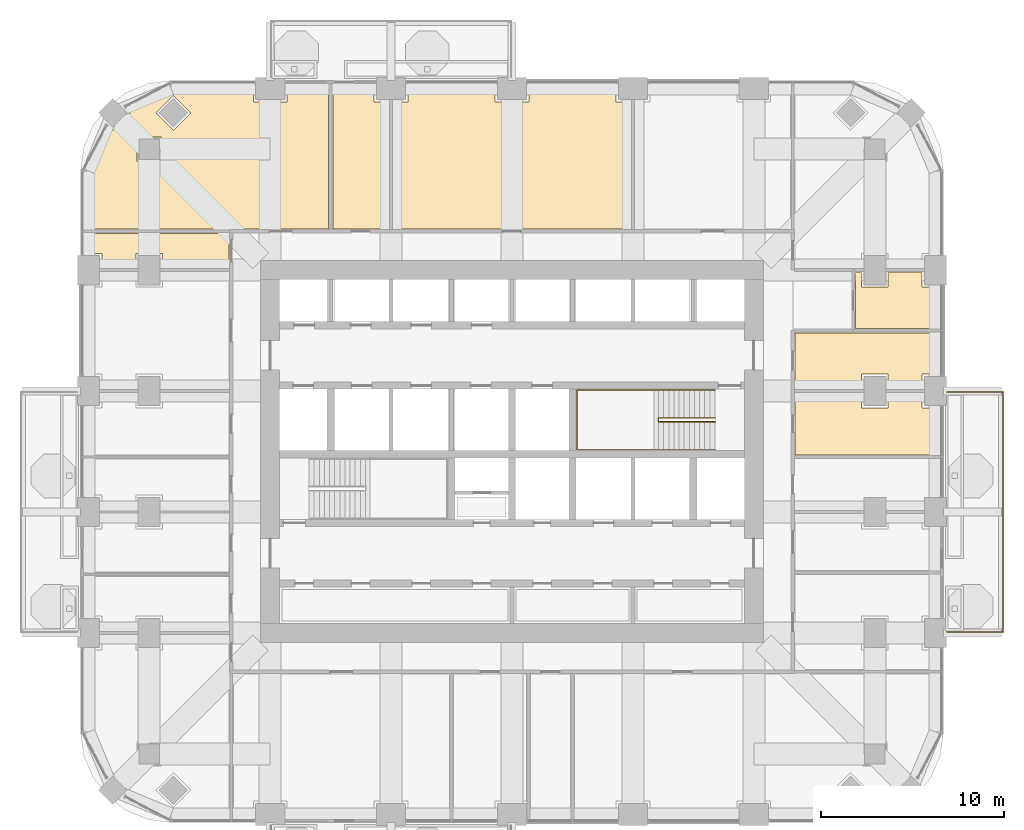
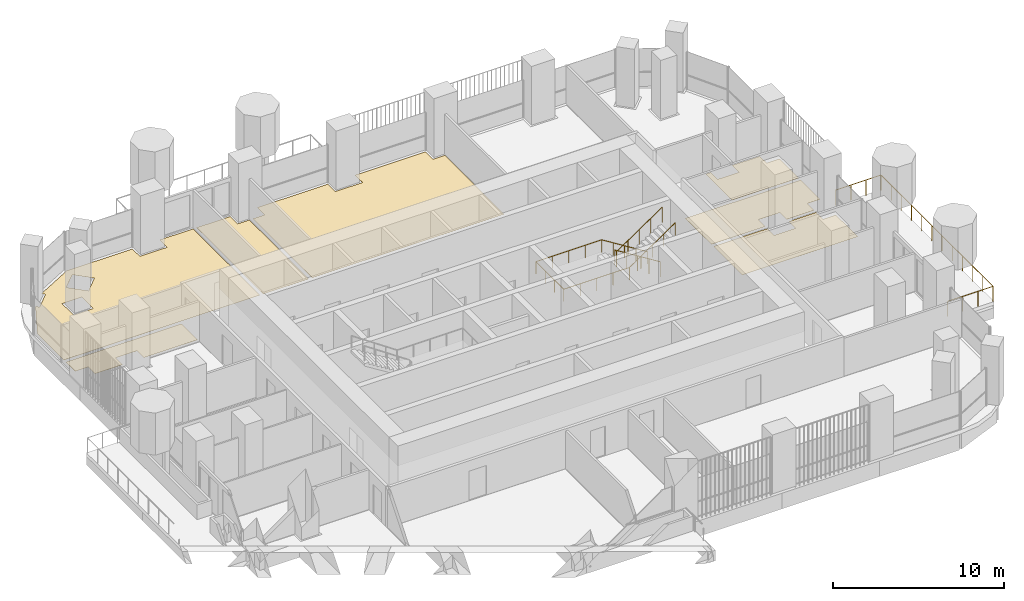
# One storey, part 18 of 20: 7 coverings, 3 railings.
"""IFC4 building model written with IfcOpenShell, lengths in metres."""

from ifc_helpers import new_model, si_unit, direction, frame, origin, place, context, subcontext, project, spatial, polyline, outline, extrude, material, layer, layer_set, type_object, element, save


model = new_model("IFC4")

# Units and contexts
model_context = context("Model", 3, precision=1e-05, world=origin(), true_north=direction((0.0, 1.0)))
body_context = subcontext(model_context, "Body", "Model", "MODEL_VIEW")
ifc_project = project(units=[si_unit("LENGTHUNIT", "METRE"), si_unit("AREAUNIT", "SQUARE_METRE"), si_unit("VOLUMEUNIT", "CUBIC_METRE"), si_unit("PLANEANGLEUNIT", "RADIAN"), si_unit("MASSUNIT", "GRAM", prefix="KILO")], contexts=[model_context])

# Site, building, storey
site_placement = place(None, origin())
site = spatial("IfcSite", under=ifc_project, at=site_placement, CompositionType="ELEMENT")
building_placement = place(site_placement, origin())
building = spatial("IfcBuilding", under=site, at=building_placement, Name="Cobogo Forest Laboratory Tower", CompositionType="ELEMENT")
storey_placement = place(building_placement, frame((0.0, 0.0, 193.5)))
storey = spatial("IfcBuildingStorey", under=building, at=storey_placement, Name="L44", CompositionType="ELEMENT", Elevation=193.5)

# Railing
ifc_material_1 = material(Name="Laminated glass balustrade", Category="glass")
railing_type_1 = type_object("IfcRailingType", Name="BG1 glass balustrade 1100", PredefinedType="GUARDRAIL", material=ifc_material_1)
railing_1_placement = place(storey_placement, frame((50.14990234375, 13.25, 0.0)))
element("IfcRailing", 1, at=railing_1_placement, inside=storey, type_object=railing_type_1, Name="Balcony balustrade BAL-E1 L44", PredefinedType="GUARDRAIL", context=body_context, shape_type="SweptSolid", body=[
    extrude(outline(polyline([(0.022216796875, 0.00927734375), (0.00927734375, 0.022216796875), (-0.00927734375, 0.022216796875), (-0.022216796875, 0.00927734375), (-0.022216796875, -0.00927734375), (-0.00927734375, -0.022216796875), (0.00927734375, -0.022216796875), (0.022216796875, -0.00927734375), (0.022216796875, 0.00927734375)])), frame((0.0, 0.0, 1.077880859375), z_axis=(1.0, 0.0, 0.0), x_axis=(0.0, 1.0, 0.0)), (0.0, 0.0, 1.0), 3.050048828125),
    extrude(outline(polyline([(0.022216796875, 0.00927734375), (0.00927734375, 0.022216796875), (-0.00927734375, 0.022216796875), (-0.022216796875, 0.00927734375), (-0.022216796875, -0.00927734375), (-0.00927734375, -0.022216796875), (0.00927734375, -0.022216796875), (0.022216796875, -0.00927734375), (0.022216796875, 0.00927734375)])), frame((3.050048828125, 0.0, 1.077880859375), z_axis=(0.0, 1.0, 0.0), x_axis=(-1.0, 0.0, 0.0)), (0.0, 0.0, 1.0), 13.10009765625),
    extrude(outline(polyline([(0.022216796875, 0.00927734375), (0.00927734375, 0.022216796875), (-0.00927734375, 0.022216796875), (-0.022216796875, 0.00927734375), (-0.022216796875, -0.00927734375), (-0.00927734375, -0.022216796875), (0.00927734375, -0.022216796875), (0.022216796875, -0.00927734375), (0.022216796875, 0.00927734375)])), frame((3.050048828125, 13.10009765625, 1.077880859375), z_axis=(-1.0, 0.0, 0.0), x_axis=(0.0, -1.0, 0.0)), (0.0, 0.0, 1.0), 3.050048828125),
    extrude(outline(polyline([(0.019287109375, 0.008056640625), (0.008056640625, 0.019287109375), (-0.008056640625, 0.019287109375), (-0.019287109375, 0.008056640625), (-0.019287109375, -0.008056640625), (-0.008056640625, -0.019287109375), (0.008056640625, -0.019287109375), (0.019287109375, -0.008056640625), (0.019287109375, 0.008056640625)])), origin(), (0.0, 0.0, 1.0), 1.077880859375),
    extrude(outline(polyline([(0.019287109375, 0.008056640625), (0.008056640625, 0.019287109375), (-0.008056640625, 0.019287109375), (-0.019287109375, 0.008056640625), (-0.019287109375, -0.008056640625), (-0.008056640625, -0.019287109375), (0.008056640625, -0.019287109375), (0.019287109375, -0.008056640625), (0.019287109375, 0.008056640625)])), frame((1.0166015625, 0.0, 0.0)), (0.0, 0.0, 1.0), 1.077880859375),
    extrude(outline(polyline([(0.019287109375, 0.008056640625), (0.008056640625, 0.019287109375), (-0.008056640625, 0.019287109375), (-0.019287109375, 0.008056640625), (-0.019287109375, -0.008056640625), (-0.008056640625, -0.019287109375), (0.008056640625, -0.019287109375), (0.019287109375, -0.008056640625), (0.019287109375, 0.008056640625)])), frame((2.033447265625, 0.0, 0.0)), (0.0, 0.0, 1.0), 1.077880859375),
    extrude(outline(polyline([(0.019287109375, 0.008056640625), (0.008056640625, 0.019287109375), (-0.008056640625, 0.019287109375), (-0.019287109375, 0.008056640625), (-0.019287109375, -0.008056640625), (-0.008056640625, -0.019287109375), (0.008056640625, -0.019287109375), (0.019287109375, -0.008056640625), (0.019287109375, 0.008056640625)])), frame((3.050048828125, 0.0, 0.0)), (0.0, 0.0, 1.0), 1.077880859375),
    extrude(outline(polyline([(0.019287109375, 0.008056640625), (0.008056640625, 0.019287109375), (-0.008056640625, 0.019287109375), (-0.019287109375, 0.008056640625), (-0.019287109375, -0.008056640625), (-0.008056640625, -0.019287109375), (0.008056640625, -0.019287109375), (0.019287109375, -0.008056640625), (0.019287109375, 0.008056640625)])), frame((3.050048828125, 1.19091796875, 0.0)), (0.0, 0.0, 1.0), 1.077880859375),
    extrude(outline(polyline([(0.019287109375, 0.008056640625), (0.008056640625, 0.019287109375), (-0.008056640625, 0.019287109375), (-0.019287109375, 0.008056640625), (-0.019287109375, -0.008056640625), (-0.008056640625, -0.019287109375), (0.008056640625, -0.019287109375), (0.019287109375, -0.008056640625), (0.019287109375, 0.008056640625)])), frame((3.050048828125, 2.3818359375, 0.0)), (0.0, 0.0, 1.0), 1.077880859375),
    extrude(outline(polyline([(0.019287109375, 0.008056640625), (0.008056640625, 0.019287109375), (-0.008056640625, 0.019287109375), (-0.019287109375, 0.008056640625), (-0.019287109375, -0.008056640625), (-0.008056640625, -0.019287109375), (0.008056640625, -0.019287109375), (0.019287109375, -0.008056640625), (0.019287109375, 0.008056640625)])), frame((3.050048828125, 3.57275390625, 0.0)), (0.0, 0.0, 1.0), 1.077880859375),
    extrude(outline(polyline([(0.019287109375, 0.008056640625), (0.008056640625, 0.019287109375), (-0.008056640625, 0.019287109375), (-0.019287109375, 0.008056640625), (-0.019287109375, -0.008056640625), (-0.008056640625, -0.019287109375), (0.008056640625, -0.019287109375), (0.019287109375, -0.008056640625), (0.019287109375, 0.008056640625)])), frame((3.050048828125, 4.763671875, 0.0)), (0.0, 0.0, 1.0), 1.077880859375),
    extrude(outline(polyline([(0.019287109375, 0.008056640625), (0.008056640625, 0.019287109375), (-0.008056640625, 0.019287109375), (-0.019287109375, 0.008056640625), (-0.019287109375, -0.008056640625), (-0.008056640625, -0.019287109375), (0.008056640625, -0.019287109375), (0.019287109375, -0.008056640625), (0.019287109375, 0.008056640625)])), frame((3.050048828125, 5.95458984375, 0.0)), (0.0, 0.0, 1.0), 1.077880859375),
    extrude(outline(polyline([(0.019287109375, 0.008056640625), (0.008056640625, 0.019287109375), (-0.008056640625, 0.019287109375), (-0.019287109375, 0.008056640625), (-0.019287109375, -0.008056640625), (-0.008056640625, -0.019287109375), (0.008056640625, -0.019287109375), (0.019287109375, -0.008056640625), (0.019287109375, 0.008056640625)])), frame((3.050048828125, 7.1455078125, 0.0)), (0.0, 0.0, 1.0), 1.077880859375),
    extrude(outline(polyline([(0.019287109375, 0.008056640625), (0.008056640625, 0.019287109375), (-0.008056640625, 0.019287109375), (-0.019287109375, 0.008056640625), (-0.019287109375, -0.008056640625), (-0.008056640625, -0.019287109375), (0.008056640625, -0.019287109375), (0.019287109375, -0.008056640625), (0.019287109375, 0.008056640625)])), frame((3.050048828125, 8.33642578125, 0.0)), (0.0, 0.0, 1.0), 1.077880859375),
    extrude(outline(polyline([(0.019287109375, 0.008056640625), (0.008056640625, 0.019287109375), (-0.008056640625, 0.019287109375), (-0.019287109375, 0.008056640625), (-0.019287109375, -0.008056640625), (-0.008056640625, -0.019287109375), (0.008056640625, -0.019287109375), (0.019287109375, -0.008056640625), (0.019287109375, 0.008056640625)])), frame((3.050048828125, 9.52734375, 0.0)), (0.0, 0.0, 1.0), 1.077880859375),
    extrude(outline(polyline([(0.019287109375, 0.008056640625), (0.008056640625, 0.019287109375), (-0.008056640625, 0.019287109375), (-0.019287109375, 0.008056640625), (-0.019287109375, -0.008056640625), (-0.008056640625, -0.019287109375), (0.008056640625, -0.019287109375), (0.019287109375, -0.008056640625), (0.019287109375, 0.008056640625)])), frame((3.050048828125, 10.71826171875, 0.0)), (0.0, 0.0, 1.0), 1.077880859375),
    extrude(outline(polyline([(0.019287109375, 0.008056640625), (0.008056640625, 0.019287109375), (-0.008056640625, 0.019287109375), (-0.019287109375, 0.008056640625), (-0.019287109375, -0.008056640625), (-0.008056640625, -0.019287109375), (0.008056640625, -0.019287109375), (0.019287109375, -0.008056640625), (0.019287109375, 0.008056640625)])), frame((3.050048828125, 11.9091796875, 0.0)), (0.0, 0.0, 1.0), 1.077880859375),
    extrude(outline(polyline([(0.019287109375, 0.008056640625), (0.008056640625, 0.019287109375), (-0.008056640625, 0.019287109375), (-0.019287109375, 0.008056640625), (-0.019287109375, -0.008056640625), (-0.008056640625, -0.019287109375), (0.008056640625, -0.019287109375), (0.019287109375, -0.008056640625), (0.019287109375, 0.008056640625)])), frame((3.050048828125, 13.10009765625, 0.0)), (0.0, 0.0, 1.0), 1.077880859375),
    extrude(outline(polyline([(0.019287109375, 0.008056640625), (0.008056640625, 0.019287109375), (-0.008056640625, 0.019287109375), (-0.019287109375, 0.008056640625), (-0.019287109375, -0.008056640625), (-0.008056640625, -0.019287109375), (0.008056640625, -0.019287109375), (0.019287109375, -0.008056640625), (0.019287109375, 0.008056640625)])), frame((2.033447265625, 13.10009765625, 0.0)), (0.0, 0.0, 1.0), 1.077880859375),
    extrude(outline(polyline([(0.019287109375, 0.008056640625), (0.008056640625, 0.019287109375), (-0.008056640625, 0.019287109375), (-0.019287109375, 0.008056640625), (-0.019287109375, -0.008056640625), (-0.008056640625, -0.019287109375), (0.008056640625, -0.019287109375), (0.019287109375, -0.008056640625), (0.019287109375, 0.008056640625)])), frame((1.0166015625, 13.10009765625, 0.0)), (0.0, 0.0, 1.0), 1.077880859375),
    extrude(outline(polyline([(0.019287109375, 0.008056640625), (0.008056640625, 0.019287109375), (-0.008056640625, 0.019287109375), (-0.019287109375, 0.008056640625), (-0.019287109375, -0.008056640625), (-0.008056640625, -0.019287109375), (0.008056640625, -0.019287109375), (0.019287109375, -0.008056640625), (0.019287109375, 0.008056640625)])), frame((0.0, 13.10009765625, 0.0)), (0.0, 0.0, 1.0), 1.077880859375),
])

# Coverings
ifc_material_2 = material(Name="Carpet tile on raised access floor", Category="flooring")
ifc_layer_1 = layer(ifc_material_2, 0.008056640625)
ifc_layer_set_1 = layer_set([ifc_layer_1], Name="CT1 carpet tile floor 8")
covering_type_1 = type_object("IfcCoveringType", Name="CT1 carpet tile floor 8", PredefinedType="FLOORING", material=ifc_layer_set_1)
covering_1_placement = place(storey_placement, origin())
element("IfcCovering", 2, at=covering_1_placement, inside=storey, type_object=covering_type_1, Name="Carpet floor L44-09", PredefinedType="FLOORING", context=body_context, shape_type="SweptSolid", body=[
    extrude(outline(polyline([(41.844970703125, 29.580078125), (49.64990234375, 29.580078125), (49.64990234375, 27.320068359375), (48.780029296875, 27.320068359375), (48.780029296875, 26.52001953125), (46.919921875, 26.52001953125), (46.919921875, 27.320068359375), (45.47998046875, 27.320068359375), (45.47998046875, 26.52001953125), (41.844970703125, 26.52001953125), (41.844970703125, 29.580078125)])), origin(), (0.0, 0.0, 1.0), 0.008056640625),
])
covering_2_placement = place(storey_placement, origin())
element("IfcCovering", 3, at=covering_2_placement, inside=storey, type_object=covering_type_1, Name="Carpet floor L44-10", PredefinedType="FLOORING", context=body_context, shape_type="SweptSolid", body=[
    extrude(outline(polyline([(45.14501953125, 32.8798828125), (45.47998046875, 32.8798828125), (45.47998046875, 32.080078125), (46.919921875, 32.080078125), (46.919921875, 32.8798828125), (48.780029296875, 32.8798828125), (48.780029296875, 32.080078125), (49.64990234375, 32.080078125), (49.64990234375, 29.820068359375), (45.14501953125, 29.820068359375), (45.14501953125, 32.8798828125)])), origin(), (0.0, 0.0, 1.0), 0.008056640625),
])
covering_3_placement = place(storey_placement, origin())
element("IfcCovering", 4, at=covering_3_placement, inside=storey, type_object=covering_type_1, Name="Carpet floor L44-13", PredefinedType="FLOORING", context=body_context, shape_type="SweptSolid", body=[
    extrude(outline(polyline([(16.6201171875, 35.2451171875), (16.6201171875, 43.050048828125), (18.8798828125, 43.050048828125), (18.8798828125, 42.179931640625), (19.679931640625, 42.179931640625), (19.679931640625, 35.2451171875), (16.6201171875, 35.2451171875)])), origin(), (0.0, 0.0, 1.0), 0.008056640625),
])
covering_4_placement = place(storey_placement, origin())
element("IfcCovering", 5, at=covering_4_placement, inside=storey, type_object=covering_type_1, Name="Carpet floor L44-14", PredefinedType="FLOORING", context=body_context, shape_type="SweptSolid", body=[
    extrude(outline(polyline([(19.919921875, 35.2451171875), (19.919921875, 42.179931640625), (20.719970703125, 42.179931640625), (20.719970703125, 43.050048828125), (25.47998046875, 43.050048828125), (25.47998046875, 42.179931640625), (27.320068359375, 42.179931640625), (27.320068359375, 43.050048828125), (32.080078125, 43.050048828125), (32.080078125, 42.179931640625), (32.8798828125, 42.179931640625), (32.8798828125, 35.2451171875), (19.919921875, 35.2451171875)])), origin(), (0.0, 0.0, 1.0), 0.008056640625),
])

# Railings
ifc_material_3 = material(Name="Steel balustrade", Category="steel")
railing_type_2 = type_object("IfcRailingType", Name="GR stair guard 1100", PredefinedType="GUARDRAIL", material=ifc_material_3)
railing_2_placement = place(storey_placement, frame((37.47509765625, 24.929931640625, 0.175048828125)))
element("IfcRailing", 6, at=railing_2_placement, inside=storey, type_object=railing_type_2, Name="Stair guard ST2 L44", PredefinedType="GUARDRAIL", context=body_context, shape_type="SweptSolid", body=[
    extrude(outline(polyline([(0.022216796875, 0.00927734375), (0.00927734375, 0.022216796875), (-0.00927734375, 0.022216796875), (-0.022216796875, 0.00927734375), (-0.022216796875, -0.00927734375), (-0.00927734375, -0.022216796875), (0.00927734375, -0.022216796875), (0.022216796875, -0.00927734375), (0.022216796875, 0.00927734375)])), frame((0.0, 0.0, 1.077880859375), z_axis=(-0.847998304005, 0.0, 0.529998940003), x_axis=(0.0, -1.0, 0.0)), (0.0, 0.0, 1.0), 3.632080078125),
    extrude(outline(polyline([(0.022216796875, 0.00927734375), (0.00927734375, 0.022216796875), (-0.00927734375, 0.022216796875), (-0.022216796875, 0.00927734375), (-0.022216796875, -0.00927734375), (-0.00927734375, -0.022216796875), (0.00927734375, -0.022216796875), (0.022216796875, -0.00927734375), (0.022216796875, 0.00927734375)])), frame((-3.080078125, 0.0, 3.0029296875), z_axis=(0.0, -1.0, 0.0), x_axis=(1.0, 0.0, 0.0)), (0.0, 0.0, 1.0), 0.2099609375),
    extrude(outline(polyline([(0.022216796875, 0.00927734375), (0.00927734375, 0.022216796875), (-0.00927734375, 0.022216796875), (-0.022216796875, 0.00927734375), (-0.022216796875, -0.00927734375), (-0.00927734375, -0.022216796875), (0.00927734375, -0.022216796875), (0.022216796875, -0.00927734375), (0.022216796875, 0.00927734375)])), frame((-3.080078125, -0.2099609375, 3.0029296875), z_axis=(0.826252282691, 0.0, 0.563300244406), x_axis=(0.0, 1.0, 0.0)), (0.0, 0.0, 1.0), 3.727783203125),
    extrude(outline(polyline([(0.019287109375, 0.008056640625), (0.008056640625, 0.019287109375), (-0.008056640625, 0.019287109375), (-0.019287109375, 0.008056640625), (-0.019287109375, -0.008056640625), (-0.008056640625, -0.019287109375), (0.008056640625, -0.019287109375), (0.019287109375, -0.008056640625), (0.019287109375, 0.008056640625)])), origin(), (0.0, 0.0, 1.0), 1.077880859375),
    extrude(outline(polyline([(0.019287109375, 0.008056640625), (0.008056640625, 0.019287109375), (-0.008056640625, 0.019287109375), (-0.019287109375, 0.008056640625), (-0.019287109375, -0.008056640625), (-0.008056640625, -0.019287109375), (0.008056640625, -0.019287109375), (0.019287109375, -0.008056640625), (0.019287109375, 0.008056640625)])), frame((-0.77001953125, 0.0, 0.481201171875)), (0.0, 0.0, 1.0), 1.077880859375),
    extrude(outline(polyline([(0.019287109375, 0.008056640625), (0.008056640625, 0.019287109375), (-0.008056640625, 0.019287109375), (-0.019287109375, 0.008056640625), (-0.019287109375, -0.008056640625), (-0.008056640625, -0.019287109375), (0.008056640625, -0.019287109375), (0.019287109375, -0.008056640625), (0.019287109375, 0.008056640625)])), frame((-1.5400390625, 0.0, 0.96240234375)), (0.0, 0.0, 1.0), 1.077880859375),
    extrude(outline(polyline([(0.019287109375, 0.008056640625), (0.008056640625, 0.019287109375), (-0.008056640625, 0.019287109375), (-0.019287109375, 0.008056640625), (-0.019287109375, -0.008056640625), (-0.008056640625, -0.019287109375), (0.008056640625, -0.019287109375), (0.019287109375, -0.008056640625), (0.019287109375, 0.008056640625)])), frame((-2.31005859375, 0.0, 1.44384765625)), (0.0, 0.0, 1.0), 1.077880859375),
    extrude(outline(polyline([(0.019287109375, 0.008056640625), (0.008056640625, 0.019287109375), (-0.008056640625, 0.019287109375), (-0.019287109375, 0.008056640625), (-0.019287109375, -0.008056640625), (-0.008056640625, -0.019287109375), (0.008056640625, -0.019287109375), (0.019287109375, -0.008056640625), (0.019287109375, 0.008056640625)])), frame((-3.080078125, 0.0, 1.925048828125)), (0.0, 0.0, 1.0), 1.077880859375),
    extrude(outline(polyline([(0.019287109375, 0.008056640625), (0.008056640625, 0.019287109375), (-0.008056640625, 0.019287109375), (-0.019287109375, 0.008056640625), (-0.019287109375, -0.008056640625), (-0.008056640625, -0.019287109375), (0.008056640625, -0.019287109375), (0.019287109375, -0.008056640625), (0.019287109375, 0.008056640625)])), frame((-3.080078125, -0.2099609375, 1.925048828125)), (0.0, 0.0, 1.0), 1.077880859375),
    extrude(outline(polyline([(0.019287109375, 0.008056640625), (0.008056640625, 0.019287109375), (-0.008056640625, 0.019287109375), (-0.019287109375, 0.008056640625), (-0.019287109375, -0.008056640625), (-0.008056640625, -0.019287109375), (0.008056640625, -0.019287109375), (0.019287109375, -0.008056640625), (0.019287109375, 0.008056640625)])), frame((-2.31005859375, -0.2099609375, 2.449951171875)), (0.0, 0.0, 1.0), 1.077880859375),
    extrude(outline(polyline([(0.019287109375, 0.008056640625), (0.008056640625, 0.019287109375), (-0.008056640625, 0.019287109375), (-0.019287109375, 0.008056640625), (-0.019287109375, -0.008056640625), (-0.008056640625, -0.019287109375), (0.008056640625, -0.019287109375), (0.019287109375, -0.008056640625), (0.019287109375, 0.008056640625)])), frame((-1.5400390625, -0.2099609375, 2.97509765625)), (0.0, 0.0, 1.0), 1.077880859375),
    extrude(outline(polyline([(0.019287109375, 0.008056640625), (0.008056640625, 0.019287109375), (-0.008056640625, 0.019287109375), (-0.019287109375, 0.008056640625), (-0.019287109375, -0.008056640625), (-0.008056640625, -0.019287109375), (0.008056640625, -0.019287109375), (0.019287109375, -0.008056640625), (0.019287109375, 0.008056640625)])), frame((-0.77001953125, -0.2099609375, 3.5)), (0.0, 0.0, 1.0), 1.077880859375),
    extrude(outline(polyline([(0.019287109375, 0.008056640625), (0.008056640625, 0.019287109375), (-0.008056640625, 0.019287109375), (-0.019287109375, 0.008056640625), (-0.019287109375, -0.008056640625), (-0.008056640625, -0.019287109375), (0.008056640625, -0.019287109375), (0.019287109375, -0.008056640625), (0.019287109375, 0.008056640625)])), frame((0.0, -0.2099609375, 4.02490234375)), (0.0, 0.0, 1.0), 1.077880859375),
])
ifc_material_4 = material(Name="Stainless steel handrail", Category="steel")
railing_type_3 = type_object("IfcRailingType", Name="HR handrail 900", PredefinedType="HANDRAIL", material=ifc_material_4)
railing_3_placement = place(storey_placement, frame((37.47509765625, 26.449951171875, 0.175048828125)))
element("IfcRailing", 7, at=railing_3_placement, inside=storey, type_object=railing_type_3, Name="Stair handrail ST2 L44", PredefinedType="HANDRAIL", context=body_context, shape_type="SweptSolid", body=[
    extrude(outline(polyline([(0.022216796875, 0.00927734375), (0.00927734375, 0.022216796875), (-0.00927734375, 0.022216796875), (-0.022216796875, 0.00927734375), (-0.022216796875, -0.00927734375), (-0.00927734375, -0.022216796875), (0.00927734375, -0.022216796875), (0.022216796875, -0.00927734375), (0.022216796875, 0.00927734375)])), frame((0.0, 0.0, 0.877685546875), z_axis=(-0.847998304005, 0.0, 0.529998940003), x_axis=(0.0, -1.0, 0.0)), (0.0, 0.0, 1.0), 3.632080078125),
    extrude(outline(polyline([(0.022216796875, 0.00927734375), (0.00927734375, 0.022216796875), (-0.00927734375, 0.022216796875), (-0.022216796875, 0.00927734375), (-0.022216796875, -0.00927734375), (-0.00927734375, -0.022216796875), (0.00927734375, -0.022216796875), (0.022216796875, -0.00927734375), (0.022216796875, 0.00927734375)])), frame((-3.080078125, 0.0, 2.802734375), z_axis=(-1.0, 0.0, 0.0), x_axis=(0.0, -1.0, 0.0)), (0.0, 0.0, 1.0), 4.445068359375),
    extrude(outline(polyline([(0.022216796875, 0.00927734375), (0.00927734375, 0.022216796875), (-0.00927734375, 0.022216796875), (-0.022216796875, 0.00927734375), (-0.022216796875, -0.00927734375), (-0.00927734375, -0.022216796875), (0.00927734375, -0.022216796875), (0.022216796875, -0.00927734375), (0.022216796875, 0.00927734375)])), frame((-7.525146484375, 0.0, 2.802734375), z_axis=(0.0, -1.0, 0.0), x_axis=(1.0, 0.0, 0.0)), (0.0, 0.0, 1.0), 3.25),
    extrude(outline(polyline([(0.022216796875, 0.00927734375), (0.00927734375, 0.022216796875), (-0.00927734375, 0.022216796875), (-0.022216796875, 0.00927734375), (-0.022216796875, -0.00927734375), (-0.00927734375, -0.022216796875), (0.00927734375, -0.022216796875), (0.022216796875, -0.00927734375), (0.022216796875, 0.00927734375)])), frame((-7.525146484375, -3.25, 2.802734375), z_axis=(1.0, 0.0, 0.0), x_axis=(0.0, 1.0, 0.0)), (0.0, 0.0, 1.0), 4.445068359375),
    extrude(outline(polyline([(0.022216796875, 0.00927734375), (0.00927734375, 0.022216796875), (-0.00927734375, 0.022216796875), (-0.022216796875, 0.00927734375), (-0.022216796875, -0.00927734375), (-0.00927734375, -0.022216796875), (0.00927734375, -0.022216796875), (0.022216796875, -0.00927734375), (0.022216796875, 0.00927734375)])), frame((-3.080078125, -3.25, 2.802734375), z_axis=(0.826252282691, 0.0, 0.563300244406), x_axis=(0.0, 1.0, 0.0)), (0.0, 0.0, 1.0), 3.727783203125),
    extrude(outline(polyline([(0.019287109375, 0.008056640625), (0.008056640625, 0.019287109375), (-0.008056640625, 0.019287109375), (-0.019287109375, 0.008056640625), (-0.019287109375, -0.008056640625), (-0.008056640625, -0.019287109375), (0.008056640625, -0.019287109375), (0.019287109375, -0.008056640625), (0.019287109375, 0.008056640625)])), origin(), (0.0, 0.0, 1.0), 0.877685546875),
    extrude(outline(polyline([(0.019287109375, 0.008056640625), (0.008056640625, 0.019287109375), (-0.008056640625, 0.019287109375), (-0.019287109375, 0.008056640625), (-0.019287109375, -0.008056640625), (-0.008056640625, -0.019287109375), (0.008056640625, -0.019287109375), (0.019287109375, -0.008056640625), (0.019287109375, 0.008056640625)])), frame((-0.77001953125, 0.0, 0.481201171875)), (0.0, 0.0, 1.0), 0.877685546875),
    extrude(outline(polyline([(0.019287109375, 0.008056640625), (0.008056640625, 0.019287109375), (-0.008056640625, 0.019287109375), (-0.019287109375, 0.008056640625), (-0.019287109375, -0.008056640625), (-0.008056640625, -0.019287109375), (0.008056640625, -0.019287109375), (0.019287109375, -0.008056640625), (0.019287109375, 0.008056640625)])), frame((-1.5400390625, 0.0, 0.96240234375)), (0.0, 0.0, 1.0), 0.877685546875),
    extrude(outline(polyline([(0.019287109375, 0.008056640625), (0.008056640625, 0.019287109375), (-0.008056640625, 0.019287109375), (-0.019287109375, 0.008056640625), (-0.019287109375, -0.008056640625), (-0.008056640625, -0.019287109375), (0.008056640625, -0.019287109375), (0.019287109375, -0.008056640625), (0.019287109375, 0.008056640625)])), frame((-2.31005859375, 0.0, 1.44384765625)), (0.0, 0.0, 1.0), 0.877685546875),
    extrude(outline(polyline([(0.019287109375, 0.008056640625), (0.008056640625, 0.019287109375), (-0.008056640625, 0.019287109375), (-0.019287109375, 0.008056640625), (-0.019287109375, -0.008056640625), (-0.008056640625, -0.019287109375), (0.008056640625, -0.019287109375), (0.019287109375, -0.008056640625), (0.019287109375, 0.008056640625)])), frame((-3.080078125, 0.0, 1.925048828125)), (0.0, 0.0, 1.0), 0.877685546875),
    extrude(outline(polyline([(0.019287109375, 0.008056640625), (0.008056640625, 0.019287109375), (-0.008056640625, 0.019287109375), (-0.019287109375, 0.008056640625), (-0.019287109375, -0.008056640625), (-0.008056640625, -0.019287109375), (0.008056640625, -0.019287109375), (0.019287109375, -0.008056640625), (0.019287109375, 0.008056640625)])), frame((-4.19140625, 0.0, 1.925048828125)), (0.0, 0.0, 1.0), 0.877685546875),
    extrude(outline(polyline([(0.019287109375, 0.008056640625), (0.008056640625, 0.019287109375), (-0.008056640625, 0.019287109375), (-0.019287109375, 0.008056640625), (-0.019287109375, -0.008056640625), (-0.008056640625, -0.019287109375), (0.008056640625, -0.019287109375), (0.019287109375, -0.008056640625), (0.019287109375, 0.008056640625)])), frame((-5.302734375, 0.0, 1.925048828125)), (0.0, 0.0, 1.0), 0.877685546875),
    extrude(outline(polyline([(0.019287109375, 0.008056640625), (0.008056640625, 0.019287109375), (-0.008056640625, 0.019287109375), (-0.019287109375, 0.008056640625), (-0.019287109375, -0.008056640625), (-0.008056640625, -0.019287109375), (0.008056640625, -0.019287109375), (0.019287109375, -0.008056640625), (0.019287109375, 0.008056640625)])), frame((-6.413818359375, 0.0, 1.925048828125)), (0.0, 0.0, 1.0), 0.877685546875),
    extrude(outline(polyline([(0.019287109375, 0.008056640625), (0.008056640625, 0.019287109375), (-0.008056640625, 0.019287109375), (-0.019287109375, 0.008056640625), (-0.019287109375, -0.008056640625), (-0.008056640625, -0.019287109375), (0.008056640625, -0.019287109375), (0.019287109375, -0.008056640625), (0.019287109375, 0.008056640625)])), frame((-7.525146484375, 0.0, 1.925048828125)), (0.0, 0.0, 1.0), 0.877685546875),
    extrude(outline(polyline([(0.019287109375, 0.008056640625), (0.008056640625, 0.019287109375), (-0.008056640625, 0.019287109375), (-0.019287109375, 0.008056640625), (-0.019287109375, -0.008056640625), (-0.008056640625, -0.019287109375), (0.008056640625, -0.019287109375), (0.019287109375, -0.008056640625), (0.019287109375, 0.008056640625)])), frame((-7.525146484375, -1.083251953125, 1.925048828125)), (0.0, 0.0, 1.0), 0.877685546875),
    extrude(outline(polyline([(0.019287109375, 0.008056640625), (0.008056640625, 0.019287109375), (-0.008056640625, 0.019287109375), (-0.019287109375, 0.008056640625), (-0.019287109375, -0.008056640625), (-0.008056640625, -0.019287109375), (0.008056640625, -0.019287109375), (0.019287109375, -0.008056640625), (0.019287109375, 0.008056640625)])), frame((-7.525146484375, -2.166748046875, 1.925048828125)), (0.0, 0.0, 1.0), 0.877685546875),
    extrude(outline(polyline([(0.019287109375, 0.008056640625), (0.008056640625, 0.019287109375), (-0.008056640625, 0.019287109375), (-0.019287109375, 0.008056640625), (-0.019287109375, -0.008056640625), (-0.008056640625, -0.019287109375), (0.008056640625, -0.019287109375), (0.019287109375, -0.008056640625), (0.019287109375, 0.008056640625)])), frame((-7.525146484375, -3.25, 1.925048828125)), (0.0, 0.0, 1.0), 0.877685546875),
    extrude(outline(polyline([(0.019287109375, 0.008056640625), (0.008056640625, 0.019287109375), (-0.008056640625, 0.019287109375), (-0.019287109375, 0.008056640625), (-0.019287109375, -0.008056640625), (-0.008056640625, -0.019287109375), (0.008056640625, -0.019287109375), (0.019287109375, -0.008056640625), (0.019287109375, 0.008056640625)])), frame((-6.413818359375, -3.25, 1.925048828125)), (0.0, 0.0, 1.0), 0.877685546875),
    extrude(outline(polyline([(0.019287109375, 0.008056640625), (0.008056640625, 0.019287109375), (-0.008056640625, 0.019287109375), (-0.019287109375, 0.008056640625), (-0.019287109375, -0.008056640625), (-0.008056640625, -0.019287109375), (0.008056640625, -0.019287109375), (0.019287109375, -0.008056640625), (0.019287109375, 0.008056640625)])), frame((-5.302734375, -3.25, 1.925048828125)), (0.0, 0.0, 1.0), 0.877685546875),
    extrude(outline(polyline([(0.019287109375, 0.008056640625), (0.008056640625, 0.019287109375), (-0.008056640625, 0.019287109375), (-0.019287109375, 0.008056640625), (-0.019287109375, -0.008056640625), (-0.008056640625, -0.019287109375), (0.008056640625, -0.019287109375), (0.019287109375, -0.008056640625), (0.019287109375, 0.008056640625)])), frame((-4.19140625, -3.25, 1.925048828125)), (0.0, 0.0, 1.0), 0.877685546875),
    extrude(outline(polyline([(0.019287109375, 0.008056640625), (0.008056640625, 0.019287109375), (-0.008056640625, 0.019287109375), (-0.019287109375, 0.008056640625), (-0.019287109375, -0.008056640625), (-0.008056640625, -0.019287109375), (0.008056640625, -0.019287109375), (0.019287109375, -0.008056640625), (0.019287109375, 0.008056640625)])), frame((-3.080078125, -3.25, 1.925048828125)), (0.0, 0.0, 1.0), 0.877685546875),
    extrude(outline(polyline([(0.019287109375, 0.008056640625), (0.008056640625, 0.019287109375), (-0.008056640625, 0.019287109375), (-0.019287109375, 0.008056640625), (-0.019287109375, -0.008056640625), (-0.008056640625, -0.019287109375), (0.008056640625, -0.019287109375), (0.019287109375, -0.008056640625), (0.019287109375, 0.008056640625)])), frame((-2.31005859375, -3.25, 2.449951171875)), (0.0, 0.0, 1.0), 0.877685546875),
    extrude(outline(polyline([(0.019287109375, 0.008056640625), (0.008056640625, 0.019287109375), (-0.008056640625, 0.019287109375), (-0.019287109375, 0.008056640625), (-0.019287109375, -0.008056640625), (-0.008056640625, -0.019287109375), (0.008056640625, -0.019287109375), (0.019287109375, -0.008056640625), (0.019287109375, 0.008056640625)])), frame((-1.5400390625, -3.25, 2.97509765625)), (0.0, 0.0, 1.0), 0.877685546875),
    extrude(outline(polyline([(0.019287109375, 0.008056640625), (0.008056640625, 0.019287109375), (-0.008056640625, 0.019287109375), (-0.019287109375, 0.008056640625), (-0.019287109375, -0.008056640625), (-0.008056640625, -0.019287109375), (0.008056640625, -0.019287109375), (0.019287109375, -0.008056640625), (0.019287109375, 0.008056640625)])), frame((-0.77001953125, -3.25, 3.5)), (0.0, 0.0, 1.0), 0.877685546875),
    extrude(outline(polyline([(0.019287109375, 0.008056640625), (0.008056640625, 0.019287109375), (-0.008056640625, 0.019287109375), (-0.019287109375, 0.008056640625), (-0.019287109375, -0.008056640625), (-0.008056640625, -0.019287109375), (0.008056640625, -0.019287109375), (0.019287109375, -0.008056640625), (0.019287109375, 0.008056640625)])), frame((0.0, -3.25, 4.02490234375)), (0.0, 0.0, 1.0), 0.877685546875),
])

# Coverings
ifc_material_5 = material(Name="Static-dissipative vinyl flooring", Category="flooring")
ifc_layer_2 = layer(ifc_material_5, 0.0029296875)
ifc_layer_set_2 = layer_set([ifc_layer_2], Name="SD1 static-dissipative vinyl floor 3")
covering_type_2 = type_object("IfcCoveringType", Name="SD1 static-dissipative vinyl floor 3", PredefinedType="FLOORING", material=ifc_layer_set_2)
covering_5_placement = place(storey_placement, origin())
element("IfcCovering", 8, at=covering_5_placement, inside=storey, type_object=covering_type_2, Name="Static-dissipative floor L44-08", PredefinedType="FLOORING", context=body_context, shape_type="SweptSolid", body=[
    extrude(outline(polyline([(41.844970703125, 26.280029296875), (45.47998046875, 26.280029296875), (45.47998046875, 25.47998046875), (46.919921875, 25.47998046875), (46.919921875, 26.280029296875), (48.780029296875, 26.280029296875), (48.780029296875, 25.47998046875), (49.64990234375, 25.47998046875), (49.64990234375, 22.919921875), (41.844970703125, 22.919921875), (41.844970703125, 26.280029296875)])), origin(), (0.0, 0.0, 1.0), 0.0029296875),
])
covering_6_placement = place(storey_placement, origin())
element("IfcCovering", 9, at=covering_6_placement, inside=storey, type_object=covering_type_2, Name="Static-dissipative floor L44-12", PredefinedType="FLOORING", context=body_context, shape_type="SweptSolid", body=[
    extrude(outline(polyline([(3.14990234375, 35.2451171875), (3.14990234375, 38.350830078125), (4.440185546875, 40.812255859375), (4.617919921875, 40.634521484375), (5.5654296875, 41.58203125), (5.387939453125, 41.759765625), (7.84912109375, 43.050048828125), (12.280029296875, 43.050048828125), (12.280029296875, 42.179931640625), (14.1201171875, 42.179931640625), (14.1201171875, 43.050048828125), (16.3798828125, 43.050048828125), (16.3798828125, 35.2451171875), (3.14990234375, 35.2451171875)]), holes=[polyline([(7.91796875, 40.634521484375), (8.865478515625, 41.58203125), (7.91796875, 42.529541015625), (6.970458984375, 41.58203125), (7.91796875, 40.634521484375)]), polyline([(5.929931640625, 38.929931640625), (7.27001953125, 38.929931640625), (7.27001953125, 40.27001953125), (5.929931640625, 40.27001953125), (5.929931640625, 38.929931640625)])]), origin(), (0.0, 0.0, 1.0), 0.0029296875),
])
covering_7_placement = place(storey_placement, origin())
element("IfcCovering", 10, at=covering_7_placement, inside=storey, type_object=covering_type_2, Name="Static-dissipative floor L44-22", PredefinedType="FLOORING", context=body_context, shape_type="SweptSolid", body=[
    extrude(outline(polyline([(10.955078125, 33.1201171875), (7.320068359375, 33.1201171875), (7.320068359375, 33.919921875), (5.8798828125, 33.919921875), (5.8798828125, 33.1201171875), (4.02001953125, 33.1201171875), (4.02001953125, 33.919921875), (3.14990234375, 33.919921875), (3.14990234375, 35.0048828125), (10.955078125, 35.0048828125), (10.955078125, 33.1201171875)])), origin(), (0.0, 0.0, 1.0), 0.0029296875),
])

save(model, "model.ifc")
